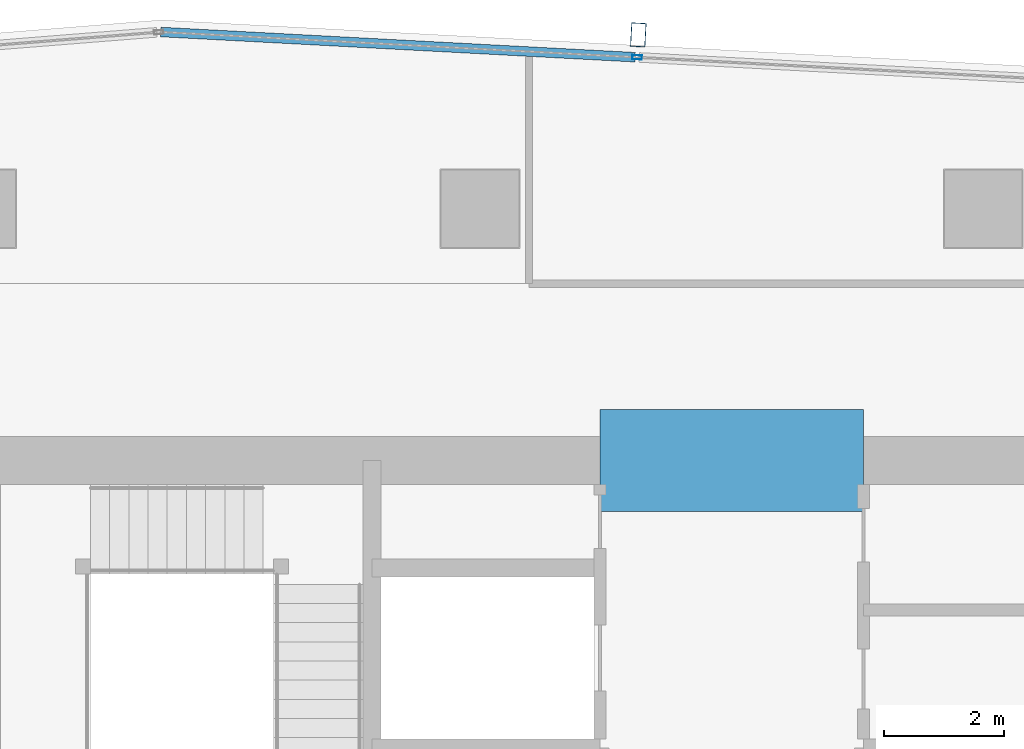
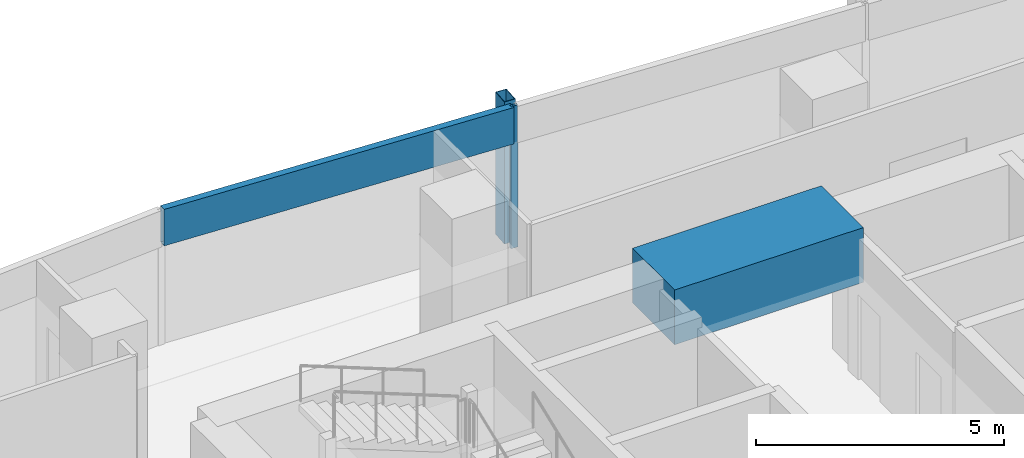
# One storey, part 17 of 30: 3 members, 1 beam, 1 element without a shape of its own.
"""IFC4 building model written with IfcOpenShell, lengths in metres."""

from ifc_helpers import new_model, si_unit, direction, frame, origin, origin_2d, place, context, subcontext, project, spatial, rectangle, hollow_rectangle, extrude, material, material_profile, profile_set, type_object, element, aggregate, save


model = new_model("IFC4")

# Units and contexts
model_context = context("Model", 3, precision=1e-05, world=origin(), true_north=direction((0.0, 1.0)))
body_context = subcontext(model_context, "Body", "Model", "MODEL_VIEW")
ifc_project = project(units=[si_unit("LENGTHUNIT", "METRE"), si_unit("AREAUNIT", "SQUARE_METRE"), si_unit("VOLUMEUNIT", "CUBIC_METRE"), si_unit("PLANEANGLEUNIT", "RADIAN"), si_unit("MASSUNIT", "GRAM", prefix="KILO")], contexts=[model_context])

# Site, building, storey
site_placement = place(None, origin())
site = spatial("IfcSite", under=ifc_project, at=site_placement, CompositionType="ELEMENT")
building_placement = place(site_placement, origin())
building = spatial("IfcBuilding", under=site, at=building_placement, Name="Rekha Terrace Tower", CompositionType="ELEMENT")
storey_placement = place(building_placement, frame((0.0, 0.0, 272.60009765625)))
storey = spatial("IfcBuildingStorey", under=building, at=storey_placement, Name="L69", CompositionType="ELEMENT", Elevation=272.60009765625)

# Curtain wall, members
ifc_material_1 = material(Name="Aluminium framing", Category="aluminium")
curtain_wall_type = type_object("IfcCurtainWallType", Name="CW3 north unitised glazing", PredefinedType="USERDEFINED", material=ifc_material_1)
curtain_wall_placement = place(storey_placement, origin())
curtain_wall = element("IfcCurtainWall", 1, at=curtain_wall_placement, inside=storey, type_object=curtain_wall_type, Name="CW3 unitised curtain wall", ObjectType="UNITISED CURTAIN WALL", PredefinedType="USERDEFINED")
ifc_material_2 = material(Name="Steel S355 with fluorocarbon finish", Category="steel")
ifc_material_profile_1 = material_profile(ifc_material_2, hollow_rectangle(XDim=0.25, YDim=0.39990234375, WallThickness=0.012451171875, at=origin_2d()), Name="RHS400x250x12.5")
ifc_profile_set_1 = profile_set([ifc_material_profile_1], Name="Steel S355 with fluorocarbon finish")
member_type_1 = type_object("IfcMemberType", Name="BL1 facade blade RHS 400 x 250", PredefinedType="USERDEFINED", material=ifc_profile_set_1)
member_1_placement = place(storey_placement, frame((36.24267578125, 53.301513671875, 0.0), z_axis=(0.0, 0.0, 1.0), x_axis=(-0.998590068481, 0.053083661621, 0.0)))
member_1 = element("IfcMember", 2, at=member_1_placement, type_object=member_type_1, Name="Facade blade", ObjectType="FACADE BLADE", PredefinedType="USERDEFINED", context=body_context, shape_type="SweptSolid", body=[
    extrude(hollow_rectangle(XDim=0.25, YDim=0.39990234375, WallThickness=0.012451171875, at=origin_2d()), origin(), (0.0, 0.0, 1.0), 3.5),
])
ifc_material_3 = material(Name="Aluminium mullion section", Category="aluminium")
ifc_material_profile_2 = material_profile(ifc_material_3, hollow_rectangle(XDim=0.070068359375, YDim=0.159912109375, WallThickness=0.00390625, at=origin_2d()), Name="AL RHS 70x160")
ifc_profile_set_2 = profile_set([ifc_material_profile_2], Name="Aluminium mullion section")
member_type_2 = type_object("IfcMemberType", Name="CW3 mullion RHS 70 x 160", PredefinedType="MULLION", material=ifc_profile_set_2)
member_2_placement = place(storey_placement, frame((36.22265625, 52.927001953125, 0.0), z_axis=(0.0, 0.0, 1.0), x_axis=(-0.053083275524, -0.998590089005, 0.0)))
member_2 = element("IfcMember", 3, at=member_2_placement, type_object=member_type_2, Name="CW3 mullion 4", PredefinedType="MULLION", context=body_context, shape_type="SweptSolid", body=[
    extrude(hollow_rectangle(XDim=0.070068359375, YDim=0.159912109375, WallThickness=0.00390625, at=origin_2d()), origin(), (0.0, 0.0, 1.0), 3.5),
])
ifc_material_4 = material(Name="Insulated aluminium spandrel box", Category="aluminium")
ifc_material_profile_3 = material_profile(ifc_material_4, hollow_rectangle(XDim=0.159912109375, YDim=0.89990234375, WallThickness=0.0029296875, at=origin_2d()), Name="AL SPANDREL BOX 160x900")
ifc_profile_set_3 = profile_set([ifc_material_profile_3], Name="Insulated aluminium spandrel box")
member_type_3 = type_object("IfcMemberType", Name="CW3 spandrel transom 160 x 900", PredefinedType="USERDEFINED", material=ifc_profile_set_3)
member_3_placement = place(storey_placement, frame((36.187744140625, 52.9287109375, 3.0498046875), z_axis=(-0.998589092231, 0.053102023288, 0.0), x_axis=(-0.053102023288, -0.998589092231, 0.0)))
member_3 = element("IfcMember", 4, at=member_3_placement, type_object=member_type_3, Name="CW3 spandrel transom 4", ObjectType="TRANSOM", PredefinedType="USERDEFINED", context=body_context, shape_type="SweptSolid", body=[
    extrude(hollow_rectangle(XDim=0.159912109375, YDim=0.89990234375, WallThickness=0.0029296875, at=origin_2d()), origin(), (0.0, 0.0, 1.0), 7.92626953125),
])
aggregate(curtain_wall, [member_2, member_3, member_1])

# Beam
ifc_material_5 = material(Name="Concrete M60", Category="concrete")
ifc_material_profile_4 = material_profile(ifc_material_5, rectangle(XDim=1.699951171875, YDim=1.35009765625, at=origin_2d()), Name="RC 1700x1350")
ifc_profile_set_4 = profile_set([ifc_material_profile_4], Name="Concrete M60")
beam_type = type_object("IfcBeamType", Name="LB5A 1700x1350 diagonally reinforced coupling beam", PredefinedType="LINTEL", material=ifc_profile_set_4)
beam_placement = place(storey_placement, frame((35.60009765625, 46.199951171875, 3.074951171875), z_axis=(1.0, 0.0, 0.0), x_axis=(0.0, 1.0, 0.0)))
element("IfcBeam", 5, at=beam_placement, inside=storey, type_object=beam_type, Name="Coupling beam LB5A N L69", PredefinedType="LINTEL", context=body_context, shape_type="SweptSolid", body=[
    extrude(rectangle(XDim=1.699951171875, YDim=1.35009765625, at=origin_2d()), origin(), (0.0, 0.0, 1.0), 4.39990234375),
])

save(model, "model.ifc")
